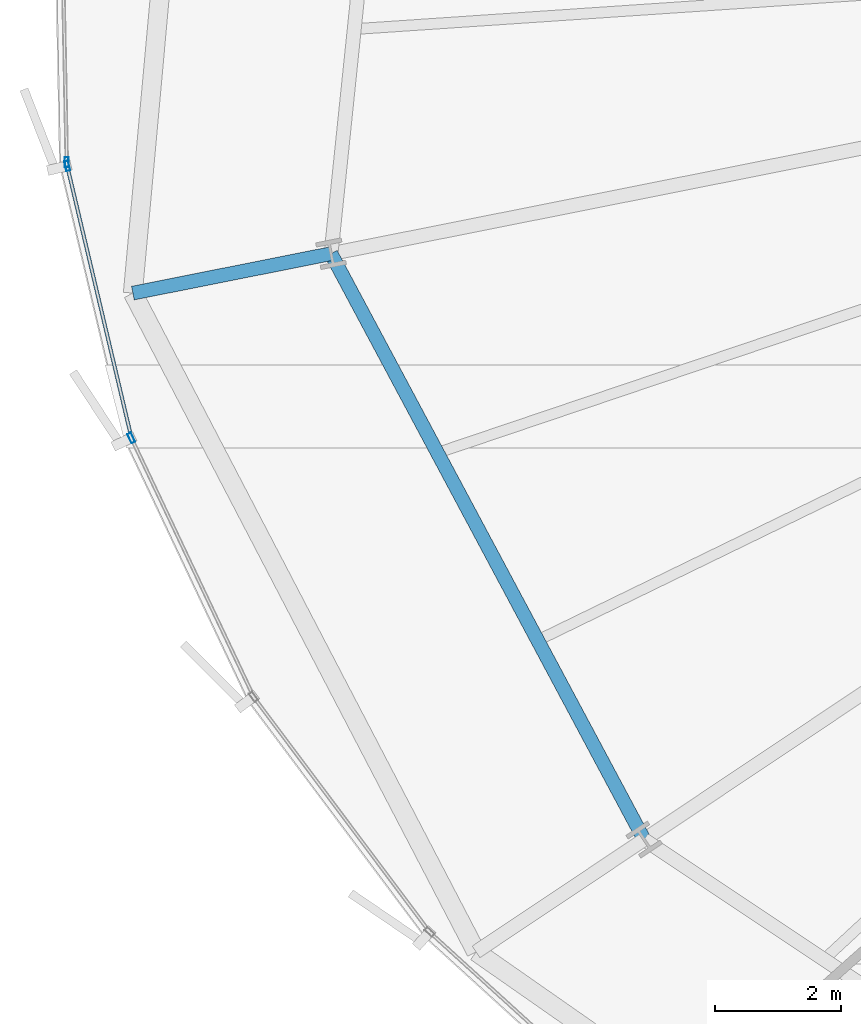
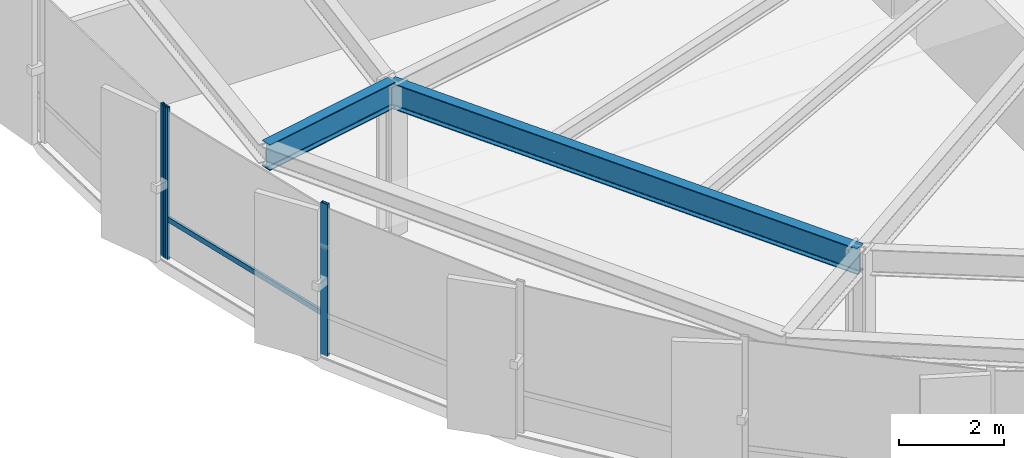
# One storey, part 7 of 37: 4 members, 2 beams, 2 elements without a shape of their own.
"""IFC4 building model written with IfcOpenShell, lengths in metres."""

from ifc_helpers import new_model, si_unit, direction, frame, origin, origin_2d, place, context, subcontext, project, spatial, hollow_rectangle, i_section, extrude, source, transform, mapped, material, layer, layer_set, material_profile, profile_set, type_object, element, aggregate, save


model = new_model("IFC4")

# Units and contexts
model_context = context("Model", 3, precision=1e-05, world=origin(), true_north=direction((0.0, 1.0)))
body_context = subcontext(model_context, "Body", "Model", "MODEL_VIEW")
ifc_project = project(units=[si_unit("LENGTHUNIT", "METRE"), si_unit("AREAUNIT", "SQUARE_METRE"), si_unit("VOLUMEUNIT", "CUBIC_METRE"), si_unit("PLANEANGLEUNIT", "RADIAN"), si_unit("MASSUNIT", "GRAM", prefix="KILO"), si_unit("THERMODYNAMICTEMPERATUREUNIT", "KELVIN")], contexts=[model_context])

# Site, building, storey
site_placement = place(None, origin())
site = spatial("IfcSite", under=ifc_project, at=site_placement, CompositionType="ELEMENT")
building_placement = place(site_placement, origin())
building = spatial("IfcBuilding", under=site, at=building_placement, Name="Kethvar Cultural Tower", CompositionType="ELEMENT")
storey_placement = place(building_placement, frame((0.0, 0.0, 60.0)))
storey = spatial("IfcBuildingStorey", under=building, at=storey_placement, Name="L14", CompositionType="ELEMENT", Elevation=60.0)

# Beams
ifc_material_1 = material(Name="Steel S355J2", Category="steel")
ifc_material_profile_1 = material_profile(ifc_material_1, i_section(OverallWidth=0.219970703125, OverallDepth=0.60009765625, WebThickness=0.011962890625, FlangeThickness=0.01904296875, FilletRadius=0.02392578125, at=origin_2d()), Name="Steel S355J2 — IPE600")
ifc_profile_set_1 = profile_set([ifc_material_profile_1], Name="Steel S355J2 — IPE600")
beam_type = type_object("IfcBeamType", Name="BM-IPE600", PredefinedType="BEAM", material=ifc_profile_set_1)
shared_shape_1 = source(origin(), body_context, "Body", "SweptSolid", [
    extrude(i_section(OverallWidth=0.219970703125, OverallDepth=0.60009765625, WebThickness=0.011962890625, FlangeThickness=0.01904296875, FilletRadius=0.02392578125, at=origin_2d()), origin(), (0.0, 0.0, 1.0), 3.199951171875),
])
beam_1_placement = place(storey_placement, frame((19.9658203125, 22.46240234375, 3.248046875), z_axis=(-0.980785550224, -0.195088965533, 0.0), x_axis=(0.195088965533, -0.980785550224, 0.0)))
element("IfcBeam", 1, at=beam_1_placement, inside=storey, type_object=beam_type, Name="L14 Perimeter Cantilever Beam RC-09", PredefinedType="BEAM", context=body_context, shape_type="MappedRepresentation", body=[
    mapped(shared_shape_1, transform((0.0, 0.0, 0.0), scale=1.0)),
])
shared_shape_2 = source(origin(), body_context, "Body", "SweptSolid", [
    extrude(i_section(OverallWidth=0.219970703125, OverallDepth=0.60009765625, WebThickness=0.011962890625, FlangeThickness=0.01904296875, FilletRadius=0.02392578125, at=origin_2d()), origin(), (0.0, 0.0, 1.0), 10.52099609375),
])
beam_2_placement = place(storey_placement, frame((19.9658203125, 22.46240234375, 3.248046875), z_axis=(0.471339616984, -0.881951793162, 0.0), x_axis=(0.881951793162, 0.471339616984, 0.0)))
element("IfcBeam", 2, at=beam_2_placement, inside=storey, type_object=beam_type, Name="L14 Column Ring Tie Beam CR-09", PredefinedType="BEAM", context=body_context, shape_type="MappedRepresentation", body=[
    mapped(shared_shape_2, transform((0.0, 0.0, 0.0), scale=1.0)),
])

# Curtain wall, member
ifc_material_2 = material(Name="Aluminium 6063-T6", Category="aluminium")
ifc_layer = layer(ifc_material_2, 0.179931640625, Name="Aluminium 6063-T6", Category="aluminium")
ifc_layer_set = layer_set([ifc_layer], Name="Aluminium 6063-T6 (180 mm)")
curtain_wall_type = type_object("IfcCurtainWallType", Name="CW-SYS-02-Z1", PredefinedType="NOTDEFINED", material=ifc_layer_set)
curtain_wall_1_placement = place(storey_placement, origin())
curtain_wall_1 = element("IfcCurtainWall", 3, at=curtain_wall_1_placement, inside=storey, type_object=curtain_wall_type, Name="L14 Curtain Wall Run 03", PredefinedType="NOTDEFINED")
ifc_material_profile_2 = material_profile(ifc_material_2, hollow_rectangle(XDim=0.06494140625, YDim=0.159912109375, WallThickness=0.0048828125, at=origin_2d()), Name="Aluminium 6063-T6 — RHS160x65x5")
ifc_profile_set_2 = profile_set([ifc_material_profile_2], Name="Aluminium 6063-T6 — RHS160x65x5")
member_type_1 = type_object("IfcMemberType", Name="CW-SYS-02-Z1-MUL", PredefinedType="MULLION", material=ifc_profile_set_2)
shared_shape_3 = source(origin(), body_context, "Body", "SweptSolid", [
    extrude(hollow_rectangle(XDim=0.06494140625, YDim=0.159912109375, WallThickness=0.0048828125, at=origin_2d()), origin(), (0.0, 0.0, 1.0), 3.550048828125),
])
member_1_placement = place(storey_placement, frame((15.7802734375, 23.910888671875, 0.0), z_axis=(0.0, 0.0, 1.0), x_axis=(0.999813021907, 0.019337042821, 0.0)))
member_1 = element("IfcMember", 4, at=member_1_placement, type_object=member_type_1, Name="CW-L14-R03 Mullion 7", PredefinedType="MULLION", context=body_context, shape_type="MappedRepresentation", body=[
    mapped(shared_shape_3, transform((0.0, 0.0, 0.0), scale=1.0)),
])
aggregate(curtain_wall_1, [member_1])

# Curtain wall, members
curtain_wall_2_placement = place(storey_placement, origin())
curtain_wall_2 = element("IfcCurtainWall", 5, at=curtain_wall_2_placement, inside=storey, type_object=curtain_wall_type, Name="L14 Curtain Wall Run 04", PredefinedType="NOTDEFINED")
member_2_placement = place(storey_placement, frame((15.78759765625, 23.852783203125, 0.0), z_axis=(0.0, 0.0, 1.0), x_axis=(0.973210984294, 0.229913853542, 0.0)))
member_2 = element("IfcMember", 6, at=member_2_placement, type_object=member_type_1, Name="CW-L14-R04 Mullion 1", PredefinedType="MULLION", context=body_context, shape_type="MappedRepresentation", body=[
    mapped(shared_shape_3, transform((0.0, 0.0, 0.0), scale=1.0)),
])
member_3_placement = place(storey_placement, frame((16.802490234375, 19.544677734375, 0.0), z_axis=(0.0, 0.0, 1.0), x_axis=(0.904082549661, 0.427357863387, 0.0)))
member_3 = element("IfcMember", 7, at=member_3_placement, type_object=member_type_1, Name="CW-L14-R04 Mullion 2", PredefinedType="MULLION", context=body_context, shape_type="MappedRepresentation", body=[
    mapped(shared_shape_3, transform((0.0, 0.0, 0.0), scale=1.0)),
])
ifc_material_profile_3 = material_profile(ifc_material_2, hollow_rectangle(XDim=0.054931640625, YDim=0.1201171875, WallThickness=0.00390625, at=origin_2d()), Name="Aluminium 6063-T6 — RHS120x55x4")
ifc_profile_set_3 = profile_set([ifc_material_profile_3], Name="Aluminium 6063-T6 — RHS120x55x4")
member_type_2 = type_object("IfcMemberType", Name="CW-SYS-02-Z1-TRN", PredefinedType="USERDEFINED", material=ifc_profile_set_3)
shared_shape_4 = source(origin(), body_context, "Body", "SweptSolid", [
    extrude(hollow_rectangle(XDim=0.054931640625, YDim=0.1201171875, WallThickness=0.00390625, at=origin_2d()), origin(), (0.0, 0.0, 1.0), 4.399658203125),
])
member_4_placement = place(storey_placement, frame((15.78857421875, 23.84814453125, 0.949951171875), z_axis=(0.229902185416, -0.973213740727, 0.0), x_axis=(0.973213740727, 0.229902185416, 0.0)))
member_4 = element("IfcMember", 8, at=member_4_placement, type_object=member_type_2, Name="CW-L14-R04 Transom 1", ObjectType="TRANSOM", PredefinedType="USERDEFINED", context=body_context, shape_type="MappedRepresentation", body=[
    mapped(shared_shape_4, transform((0.0, 0.0, 0.0), scale=1.0)),
])
aggregate(curtain_wall_2, [member_2, member_3, member_4])

save(model, "model.ifc")
